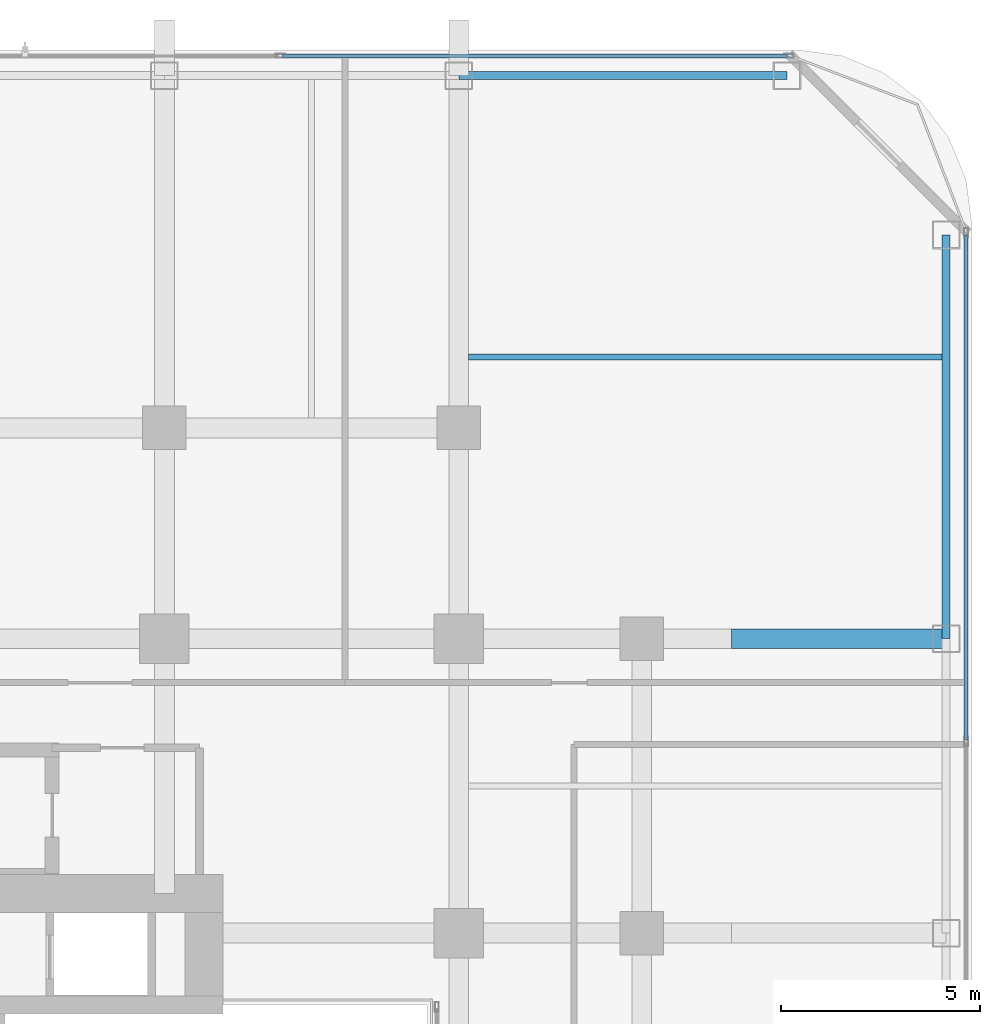
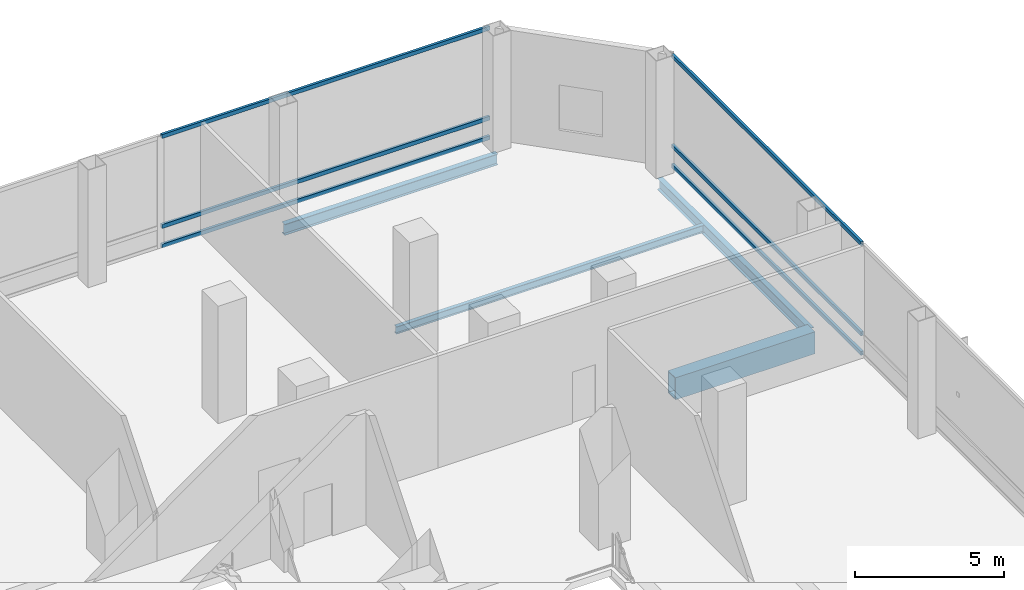
# One storey, part 18 of 28: 6 members, 4 beams, 2 elements without a shape of their own.
"""IFC4 building model written with IfcOpenShell, lengths in metres."""

from ifc_helpers import new_model, si_unit, direction, frame, origin, origin_2d, place, context, subcontext, project, spatial, hollow_rectangle, i_section, extrude, material, layer, layer_set, material_profile, profile_set, type_object, element, aggregate, save


model = new_model("IFC4")

# Units and contexts
model_context = context("Model", 3, precision=1e-05, world=origin(), true_north=direction((0.0, 1.0)))
body_context = subcontext(model_context, "Body", "Model", "MODEL_VIEW")
ifc_project = project(units=[si_unit("LENGTHUNIT", "METRE"), si_unit("AREAUNIT", "SQUARE_METRE"), si_unit("VOLUMEUNIT", "CUBIC_METRE"), si_unit("PLANEANGLEUNIT", "RADIAN"), si_unit("MASSUNIT", "GRAM", prefix="KILO")], contexts=[model_context])

# Site, building, storey
site_placement = place(None, origin())
site = spatial("IfcSite", under=ifc_project, at=site_placement, CompositionType="ELEMENT")
building_placement = place(site_placement, origin())
building = spatial("IfcBuilding", under=site, at=building_placement, Name="Khorvyn Point Tower", CompositionType="ELEMENT")
storey_placement = place(building_placement, frame((0.0, 0.0, 108.60009765625)))
storey = spatial("IfcBuildingStorey", under=building, at=storey_placement, Name="L27", CompositionType="ELEMENT", Elevation=108.60009765625)

# Curtain wall, members
ifc_material_1 = material(Name="Anodised aluminium 6063-T6 and laminated Low-E glass", Category="aluminium")
ifc_layer = layer(ifc_material_1, 0.18994140625)
ifc_layer_set = layer_set([ifc_layer], Name="Stick-Built Sky-Lobby Curtain Wall CW-SYS-05")
curtain_wall_type = type_object("IfcCurtainWallType", Name="Stick-Built Sky-Lobby Curtain Wall CW-SYS-05", PredefinedType="NOTDEFINED", material=ifc_layer_set)
curtain_wall_1_placement = place(storey_placement, origin())
curtain_wall_1 = element("IfcCurtainWall", 1, at=curtain_wall_1_placement, inside=storey, type_object=curtain_wall_type, Name="Curtain Wall", PredefinedType="NOTDEFINED")
ifc_material_2 = material(Name="Anodised aluminium 6063-T6", Category="aluminium")
ifc_material_profile_1 = material_profile(ifc_material_2, hollow_rectangle(XDim=0.10009765625, YDim=0.159912109375, WallThickness=0.00439453125, at=origin_2d()))
ifc_profile_set_1 = profile_set([ifc_material_profile_1], Name="Anodised aluminium 6063-T6 ALU-TRN-100x160")
member_type = type_object("IfcMemberType", Name="Anodised Aluminium 6063-T6 Transom ALU-TRN-100x160", PredefinedType="USERDEFINED", material=ifc_profile_set_1)
member_1_placement = place(storey_placement, frame((10.36669921875, 29.449951171875, 0.0498046875), z_axis=(1.0, 0.0, 0.0), x_axis=(0.0, 1.0, 0.0)))
member_1 = element("IfcMember", 2, at=member_1_placement, type_object=member_type, Name="Transom", ObjectType="TRANSOM", PredefinedType="USERDEFINED", context=body_context, shape_type="SweptSolid", body=[
    extrude(hollow_rectangle(XDim=0.10009765625, YDim=0.159912109375, WallThickness=0.00439453125, at=origin_2d()), origin(), (0.0, 0.0, 1.0), 12.683349609375),
])
member_2_placement = place(storey_placement, frame((10.36669921875, 29.449951171875, 0.849853515625), z_axis=(1.0, 0.0, 0.0), x_axis=(0.0, 1.0, 0.0)))
member_2 = element("IfcMember", 3, at=member_2_placement, type_object=member_type, Name="Transom", ObjectType="TRANSOM", PredefinedType="USERDEFINED", context=body_context, shape_type="SweptSolid", body=[
    extrude(hollow_rectangle(XDim=0.10009765625, YDim=0.159912109375, WallThickness=0.00439453125, at=origin_2d()), origin(), (0.0, 0.0, 1.0), 12.683349609375),
])
member_3_placement = place(storey_placement, frame((10.36669921875, 29.449951171875, 4.52978515625), z_axis=(1.0, 0.0, 0.0), x_axis=(0.0, 1.0, 0.0)))
member_3 = element("IfcMember", 4, at=member_3_placement, type_object=member_type, Name="Transom", ObjectType="TRANSOM", PredefinedType="USERDEFINED", context=body_context, shape_type="SweptSolid", body=[
    extrude(hollow_rectangle(XDim=0.10009765625, YDim=0.159912109375, WallThickness=0.00439453125, at=origin_2d()), origin(), (0.0, 0.0, 1.0), 12.683349609375),
])
aggregate(curtain_wall_1, [member_1, member_2, member_3])

curtain_wall_2_placement = place(storey_placement, origin())
curtain_wall_2 = element("IfcCurtainWall", 5, at=curtain_wall_2_placement, inside=storey, type_object=curtain_wall_type, Name="Curtain Wall", PredefinedType="NOTDEFINED")
member_4_placement = place(storey_placement, frame((27.550048828125, 24.949951171875, 0.0498046875), z_axis=(0.0, -1.0, 0.0), x_axis=(1.0, 0.0, 0.0)))
member_4 = element("IfcMember", 6, at=member_4_placement, type_object=member_type, Name="Transom", ObjectType="TRANSOM", PredefinedType="USERDEFINED", context=body_context, shape_type="SweptSolid", body=[
    extrude(hollow_rectangle(XDim=0.10009765625, YDim=0.159912109375, WallThickness=0.00439453125, at=origin_2d()), origin(), (0.0, 0.0, 1.0), 12.683349609375),
])
member_5_placement = place(storey_placement, frame((27.550048828125, 24.949951171875, 0.849853515625), z_axis=(0.0, -1.0, 0.0), x_axis=(1.0, 0.0, 0.0)))
member_5 = element("IfcMember", 7, at=member_5_placement, type_object=member_type, Name="Transom", ObjectType="TRANSOM", PredefinedType="USERDEFINED", context=body_context, shape_type="SweptSolid", body=[
    extrude(hollow_rectangle(XDim=0.10009765625, YDim=0.159912109375, WallThickness=0.00439453125, at=origin_2d()), origin(), (0.0, 0.0, 1.0), 12.683349609375),
])
member_6_placement = place(storey_placement, frame((27.550048828125, 24.949951171875, 4.52978515625), z_axis=(0.0, -1.0, 0.0), x_axis=(1.0, 0.0, 0.0)))
member_6 = element("IfcMember", 8, at=member_6_placement, type_object=member_type, Name="Transom", ObjectType="TRANSOM", PredefinedType="USERDEFINED", context=body_context, shape_type="SweptSolid", body=[
    extrude(hollow_rectangle(XDim=0.10009765625, YDim=0.159912109375, WallThickness=0.00439453125, at=origin_2d()), origin(), (0.0, 0.0, 1.0), 12.683349609375),
])
aggregate(curtain_wall_2, [member_4, member_5, member_6])

# Beams
ifc_material_3 = material(Name="Steel S355", Category="steel")
ifc_material_profile_2 = material_profile(ifc_material_3, i_section(OverallWidth=0.14990234375, OverallDepth=0.300048828125, WebThickness=0.006591796875, FlangeThickness=0.009033203125, at=origin_2d()))
ifc_profile_set_2 = profile_set([ifc_material_profile_2], Name="Steel S355 H300x150x6.5x9")
beam_type_1 = type_object("IfcBeamType", Name="Steel S355 Joist H300x150x6.5x9", PredefinedType="JOIST", material=ifc_profile_set_2)
beam_1_placement = place(storey_placement, frame((15.050048828125, 21.875, -0.43017578125), z_axis=(1.0, 0.0, 0.0), x_axis=(0.0, 1.0, 0.0)))
element("IfcBeam", 9, at=beam_1_placement, inside=storey, type_object=beam_type_1, Name="Beam", PredefinedType="JOIST", context=body_context, shape_type="SweptSolid", body=[
    extrude(i_section(OverallWidth=0.14990234375, OverallDepth=0.300048828125, WebThickness=0.006591796875, FlangeThickness=0.009033203125, at=origin_2d()), origin(), (0.0, 0.0, 1.0), 11.89990234375),
])
ifc_material_profile_3 = material_profile(ifc_material_3, i_section(OverallWidth=0.199951171875, OverallDepth=0.449951171875, WebThickness=0.009033203125, FlangeThickness=0.013916015625, at=origin_2d()))
ifc_profile_set_3 = profile_set([ifc_material_profile_3], Name="Steel S355 H450x200x9x14")
beam_type_2 = type_object("IfcBeamType", Name="Steel S355 Spandrel H450x200x9x14", PredefinedType="SPANDREL", material=ifc_profile_set_3)
beam_2_placement = place(storey_placement, frame((14.800048828125, 28.949951171875, -0.505126953125), z_axis=(1.0, 0.0, 0.0), x_axis=(0.0, 1.0, 0.0)))
element("IfcBeam", 10, at=beam_2_placement, inside=storey, type_object=beam_type_2, Name="Beam", PredefinedType="SPANDREL", context=body_context, shape_type="SweptSolid", body=[
    extrude(i_section(OverallWidth=0.199951171875, OverallDepth=0.449951171875, WebThickness=0.009033203125, FlangeThickness=0.013916015625, at=origin_2d()), origin(), (0.0, 0.0, 1.0), 8.25),
])
beam_3_placement = place(storey_placement, frame((27.050048828125, 14.800048828125, -0.505126953125), z_axis=(0.0, 1.0, 0.0), x_axis=(-1.0, 0.0, 0.0)))
element("IfcBeam", 11, at=beam_3_placement, inside=storey, type_object=beam_type_2, Name="Beam", PredefinedType="SPANDREL", context=body_context, shape_type="SweptSolid", body=[
    extrude(i_section(OverallWidth=0.199951171875, OverallDepth=0.449951171875, WebThickness=0.009033203125, FlangeThickness=0.013916015625, at=origin_2d()), origin(), (0.0, 0.0, 1.0), 10.14990234375),
])
ifc_material_4 = material(Name="Steel S450", Category="steel")
ifc_material_profile_4 = material_profile(ifc_material_4, hollow_rectangle(XDim=0.5, YDim=0.89990234375, WallThickness=0.0400390625, at=origin_2d()))
ifc_profile_set_4 = profile_set([ifc_material_profile_4], Name="Steel S450 BOX900x500x40")
beam_type_3 = type_object("IfcBeamType", Name="Steel S450 Beam BOX900x500x40", PredefinedType="BEAM", material=ifc_profile_set_4)
beam_4_placement = place(storey_placement, frame((21.64990234375, 14.800048828125, -0.72998046875), z_axis=(1.0, 0.0, 0.0), x_axis=(0.0, 1.0, 0.0)))
element("IfcBeam", 12, at=beam_4_placement, inside=storey, type_object=beam_type_3, Name="L27 Radial Transfer Girder", PredefinedType="BEAM", context=body_context, shape_type="SweptSolid", body=[
    extrude(hollow_rectangle(XDim=0.5, YDim=0.89990234375, WallThickness=0.0400390625, at=origin_2d()), origin(), (0.0, 0.0, 1.0), 5.400146484375),
])

save(model, "model.ifc")
